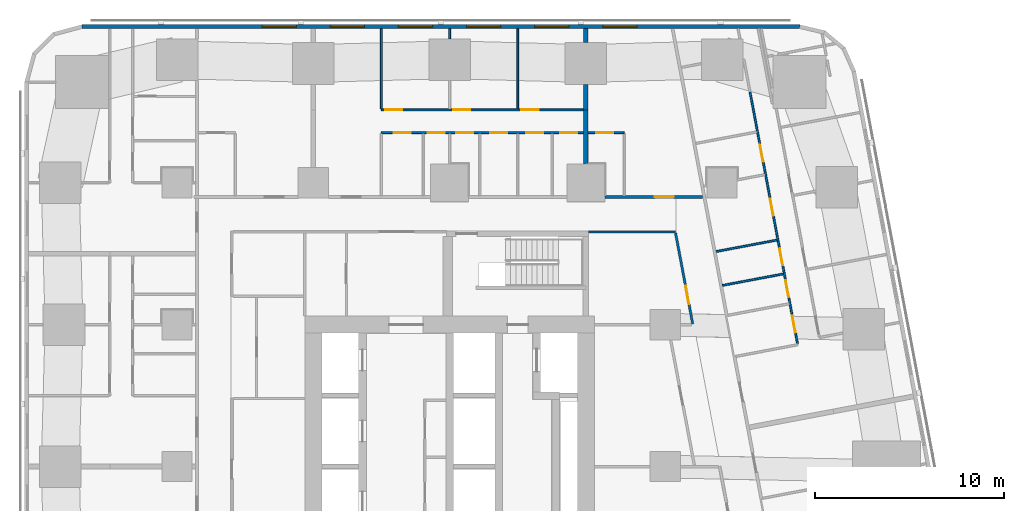
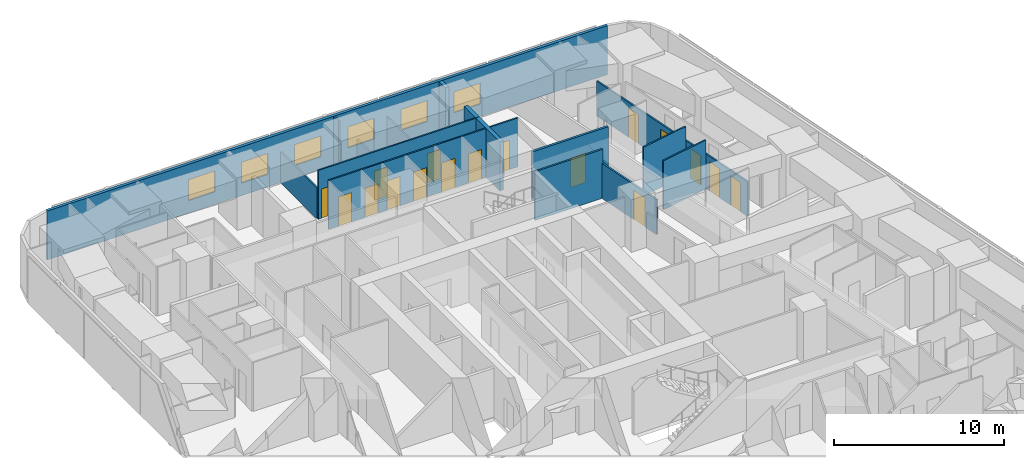
# One storey, part 9 of 15: 17 doors, 16 walls, 6 windows, 23 openings.
"""IFC4 building model written with IfcOpenShell, lengths in metres."""

import ifcopenshell
import ifcopenshell.guid

model = None  # the IFC model being written
_history = None  # IfcOwnerHistory: only IFC2X3 demands one
_inside = {}  # id of a spatial element -> (the spatial element, [elements in it])
_under = {}  # id of a project, library or spatial element -> (it, [spatial elements below it])
_declared = {}  # id of a project -> (the project, [libraries it declares])
_typed = {}  # id of a type object -> (the type object, [elements of that type])
_made_of = {}  # id of a material, layer set ... -> (it, [elements and type objects made of it])


def new_model(schema):
    """Start an empty IFC model of exactly this schema.

    Asked for "IFC4X3", IfcOpenShell would pick the latest addendum, in which some entities
    have other attributes; the version numbers below select the first issue.
    IFC2X3 requires an IfcOwnerHistory on every rooted entity: one is made here for all.
    """
    global model, _history
    if schema == "IFC4X3":
        model = ifcopenshell.file(schema_version=(4, 3, 0, 0))
    else:
        model = ifcopenshell.file(schema=schema)
    _inside.clear()
    _under.clear()
    _declared.clear()
    _typed.clear()
    _made_of.clear()
    _history = None
    if model.schema == "IFC2X3":
        org = make("IfcOrganization", Name="unknown")
        user = make(
            "IfcPersonAndOrganization",
            ThePerson=make("IfcPerson", FamilyName="unknown"),
            TheOrganization=org,
        )
        app = make(
            "IfcApplication",
            ApplicationDeveloper=org,
            Version="unknown",
            ApplicationFullName="unknown",
            ApplicationIdentifier="unknown",
        )
        _history = make(
            "IfcOwnerHistory",
            OwningUser=user,
            OwningApplication=app,
            ChangeAction="ADDED",
            CreationDate=0,
        )
    return model


def make(cls, **values):
    """One entity of the class cls with the attributes given. An attribute that is None is left unset."""
    return model.create_entity(
        cls, **{name: value for name, value in values.items() if value is not None}
    )


def rooted(cls, **values):
    """An entity with a GlobalId (a new one), such as an element, a storey or a relation."""
    return make(cls, GlobalId=ifcopenshell.guid.new(), OwnerHistory=_history, **values)


def si_unit(unit_type, name, prefix=None):
    """IfcSIUnit, for example si_unit("LENGTHUNIT", "METRE", prefix="MILLI")."""
    return make("IfcSIUnit", UnitType=unit_type, Prefix=prefix, Name=name)


def assignment(units):
    """IfcUnitAssignment: the units of a project."""
    return None if units is None else make("IfcUnitAssignment", Units=units)


def point(xyz):
    """IfcCartesianPoint."""
    return None if xyz is None else make("IfcCartesianPoint", Coordinates=xyz)


def direction(xyz):
    """IfcDirection."""
    return None if xyz is None else make("IfcDirection", DirectionRatios=xyz)


def frame(location, z_axis=None, x_axis=None):
    """IfcAxis2Placement3D, a coordinate frame: its origin and axes. An axis left out is left unset."""
    return make(
        "IfcAxis2Placement3D",
        Location=point(location),
        Axis=direction(z_axis),
        RefDirection=direction(x_axis),
    )


def frame_2d(location, x_axis=None):
    """IfcAxis2Placement2D, a coordinate frame in the plane: its origin and x axis."""
    return make(
        "IfcAxis2Placement2D", Location=point(location), RefDirection=direction(x_axis)
    )


def origin():
    """The frame at (0, 0, 0) with its axes left unset."""
    return frame((0.0, 0.0, 0.0))


def place(relative_to, where):
    """IfcLocalPlacement: puts the frame where relative to a parent placement (None: the world)."""
    return make(
        "IfcLocalPlacement", PlacementRelTo=relative_to, RelativePlacement=where
    )


def context(
    kind, dimensions, precision=None, world=None, true_north=None, identifier=None
):
    """IfcGeometricRepresentationContext, for example the 3D "Model" context."""
    return make(
        "IfcGeometricRepresentationContext",
        ContextIdentifier=identifier,
        ContextType=kind,
        CoordinateSpaceDimension=dimensions,
        Precision=precision,
        WorldCoordinateSystem=world,
        TrueNorth=true_north,
    )


def subcontext(parent, identifier, kind, view, scale=None):
    """IfcGeometricRepresentationSubContext, for example "Body" below "Model"."""
    return make(
        "IfcGeometricRepresentationSubContext",
        ContextIdentifier=identifier,
        ContextType=kind,
        ParentContext=parent,
        TargetScale=scale,
        TargetView=view,
    )


def project(units=None, contexts=None):
    """IfcProject with its units and contexts."""
    return rooted(
        "IfcProject",
        Name="project",
        RepresentationContexts=contexts,
        UnitsInContext=assignment(units),
    )


def spatial(cls, under=None, at=None, **own):
    """A site, building, storey or space (cls), placed at a placement, below another one or the project."""
    s = rooted(cls, ObjectPlacement=at, **own)
    if under is not None:
        _under.setdefault(under.id(), (under, []))[1].append(s)
    return s


def profile(cls, at=None, kind="AREA", **sizes):
    """A parametric profile (cls). Its sizes go by their IFC names, for example OverallWidth=200.0."""
    return make(cls, ProfileType=kind, Position=at, **sizes)


def rectangle(**sizes):
    """IfcRectangleProfileDef."""
    return profile("IfcRectangleProfileDef", **sizes)


def extrude(swept, where, along, depth):
    """IfcExtrudedAreaSolid: the profile swept, set in the frame where, extruded along a direction by depth."""
    return make(
        "IfcExtrudedAreaSolid",
        SweptArea=swept,
        Position=where,
        ExtrudedDirection=direction(along),
        Depth=depth,
    )


def shape(context_of_items, identifier, shape_type, items):
    """IfcShapeRepresentation: the items that make up one representation, for example the "Body"."""
    return make(
        "IfcShapeRepresentation",
        ContextOfItems=context_of_items,
        RepresentationIdentifier=identifier,
        RepresentationType=shape_type,
        Items=items,
    )


def material(Name=None, Category=None):
    """IfcMaterial."""
    return make("IfcMaterial", Name=Name, Category=Category)


def layer(
    of_material, thickness, ventilated=None, Name=None, Category=None, Priority=None
):
    """IfcMaterialLayer: one layer of a wall or slab, of a material (None: an air gap)."""
    return make(
        "IfcMaterialLayer",
        Material=of_material,
        LayerThickness=thickness,
        IsVentilated=ventilated,
        Name=Name,
        Category=Category,
        Priority=Priority,
    )


def layer_set(layers, Name=None):
    """IfcMaterialLayerSet."""
    return make("IfcMaterialLayerSet", MaterialLayers=layers, LayerSetName=Name)


def made_of(thing, what):
    """Note that an element or type object is made of a material, layer set ...; save() writes the relation."""
    if what is not None:
        _made_of.setdefault(what.id(), (what, []))[1].append(thing)
    return thing


def type_object(cls, material=None, **own):
    """A type object (cls), such as IfcWallType, which elements share."""
    return made_of(rooted(cls, **own), material)


def element(
    cls,
    number,
    at=None,
    inside=None,
    cuts=None,
    type_object=None,
    material=None,
    context=None,
    identifier="Body",
    shape_type=None,
    held_by="IfcProductDefinitionShape",
    body=None,
    shapes=None,
    **own,
):
    """One element of the class cls, such as IfcWall. Its Tag is "e" and its number.

    at: its placement. inside: the storey or other place that contains it. cuts: it is an
    opening in that element (IfcRelVoidsElement). A single representation is given by context,
    identifier, shape_type and body (its items); several are given by shapes. held_by: the class
    of the entity that holds the representations. save() writes the other relations.
    """
    e = rooted(cls, Tag="e%d" % number, ObjectPlacement=at, **own)
    if body is not None:
        shapes = [shape(context, identifier, shape_type, body)]
    if shapes is not None:
        e.Representation = make(held_by, Representations=shapes)
    if inside is not None:
        _inside.setdefault(inside.id(), (inside, []))[1].append(e)
    if cuts is not None:
        rooted(
            "IfcRelVoidsElement", RelatingBuildingElement=cuts, RelatedOpeningElement=e
        )
    if type_object is not None:
        _typed.setdefault(type_object.id(), (type_object, []))[1].append(e)
    return made_of(e, material)


def fill(opening, filler):
    """IfcRelFillsElement: the door or window that sits in an opening."""
    return rooted(
        "IfcRelFillsElement",
        RelatingOpeningElement=opening,
        RelatedBuildingElement=filler,
    )


def aggregate(whole, parts):
    """IfcRelAggregates: a whole, such as a stair, and the parts it consists of."""
    return rooted("IfcRelAggregates", RelatingObject=whole, RelatedObjects=parts)


def save(model, path):
    """Write the relations noted so far, then the file.

    IfcRelAggregates (storeys below a building ...), IfcRelContainedInSpatialStructure (elements
    in a storey), IfcRelDefinesByType, IfcRelAssociatesMaterial and IfcRelDeclares: one each for
    every whole, place, type object, material and project.
    """
    for whole, parts in _under.values():
        aggregate(whole, parts)
    for where, things in _inside.values():
        rooted(
            "IfcRelContainedInSpatialStructure",
            RelatedElements=things,
            RelatingStructure=where,
        )
    for kind, things in _typed.values():
        rooted("IfcRelDefinesByType", RelatedObjects=things, RelatingType=kind)
    for what, things in _made_of.values():
        rooted("IfcRelAssociatesMaterial", RelatedObjects=things, RelatingMaterial=what)
    for by, libraries in _declared.values():
        rooted("IfcRelDeclares", RelatingContext=by, RelatedDefinitions=libraries)
    model.write(path)


model = new_model("IFC4")

# Units and contexts
model_context = context("Model", 3, precision=1e-05, world=origin(), true_north=direction((0.0, 1.0)))
body_context = subcontext(model_context, "Body", "Model", "MODEL_VIEW")
ifc_project = project(units=[si_unit("LENGTHUNIT", "METRE"), si_unit("AREAUNIT", "SQUARE_METRE"), si_unit("VOLUMEUNIT", "CUBIC_METRE"), si_unit("PLANEANGLEUNIT", "RADIAN"), si_unit("MASSUNIT", "GRAM", prefix="KILO")], contexts=[model_context])

# Site, building, storey
site_placement = place(None, origin())
site = spatial("IfcSite", under=ifc_project, at=site_placement, CompositionType="ELEMENT")
building_placement = place(site_placement, origin())
building = spatial("IfcBuilding", under=site, at=building_placement, Name="Sheger Commons Tower", CompositionType="ELEMENT")
storey_placement = place(building_placement, frame((0.0, 0.0, 77.89990234375)))
storey = spatial("IfcBuildingStorey", under=building, at=storey_placement, Name="L19", CompositionType="ELEMENT", Elevation=77.89990234375)

# Wall, opening, door
ifc_material_1 = material(Name="Hollow concrete block masonry, skimmed both sides", Category="masonry")
ifc_layer_1 = layer(ifc_material_1, 0.14990234375)
ifc_layer_set_1 = layer_set([ifc_layer_1], Name="CORRIDOR WALL 150")
wall_type_1 = type_object("IfcWallType", Name="CORRIDOR WALL 150", PredefinedType="SOLIDWALL", material=ifc_layer_set_1)
wall_1_placement = place(storey_placement, frame((29.801025390625, 36.75, 0.0), z_axis=(0.0, 0.0, 1.0), x_axis=(1.0, 0.0, 0.0)))
wall_1 = element("IfcWall", 1, at=wall_1_placement, inside=storey, type_object=wall_type_1, Name="Corridor wall L19", PredefinedType="SOLIDWALL", context=body_context, shape_type="SweptSolid", body=[
    extrude(rectangle(XDim=5.171875, YDim=0.14990234375, at=frame_2d((2.5859375, 0.0))), origin(), (0.0, 0.0, 1.0), 3.5),
])
opening_1_placement = place(wall_1_placement, frame((2.64501953125, 0.0, 0.0)))
opening_1 = element("IfcOpeningElement", 2, at=opening_1_placement, cuts=wall_1, Name="Opening D1", PredefinedType="OPENING", context=body_context, shape_type="SweptSolid", body=[
    extrude(rectangle(XDim=1.0, YDim=2.10009765625, at=frame_2d((0.5, 1.050048828125))), frame((0.0, 0.0849609375, 0.0), z_axis=(0.0, -1.0, 0.0), x_axis=(1.0, 0.0, 0.0)), (0.0, 0.0, 1.0), 0.169921875),
])
ifc_material_2 = material(Name="Steel door set, fire rated", Category="steel")
door_type_1 = type_object("IfcDoorType", Name="FLAT ENTRANCE DOOR 1000x2100", OperationType="NOTDEFINED", PredefinedType="DOOR", material=ifc_material_2)
door_1_placement = place(opening_1_placement, origin())
door_1 = element("IfcDoor", 3, at=door_1_placement, inside=storey, type_object=door_type_1, Name="Flat entrance door", OperationType="SINGLE_SWING_RIGHT", OverallHeight=2.10009765625, OverallWidth=1.0, PredefinedType="DOOR", context=body_context, shape_type="SweptSolid", body=[
    extrude(rectangle(XDim=1.0, YDim=2.10009765625, at=frame_2d((0.5, 1.050048828125))), frame((0.0, 0.02490234375, 0.0), z_axis=(0.0, -1.0, 0.0), x_axis=(1.0, 0.0, 0.0)), (0.0, 0.0, 1.0), 0.050048828125),
])
fill(opening_1, door_1)

# Walls
ifc_material_3 = material(Name="Dense concrete block masonry, plastered both sides (separating wall between flats)", Category="masonry")
ifc_layer_2 = layer(ifc_material_3, 0.25)
ifc_layer_set_2 = layer_set([ifc_layer_2], Name="DEMISING WALL 250")
wall_type_2 = type_object("IfcWallType", Name="DEMISING WALL 250", PredefinedType="SOLIDWALL", material=ifc_layer_set_2)
wall_2_placement = place(storey_placement, frame((28.800048828125, 41.35009765625, 0.0), z_axis=(0.0, 0.0, 1.0), x_axis=(0.0, 1.0, 0.0)))
element("IfcWall", 4, at=wall_2_placement, inside=storey, type_object=wall_type_2, Name="Demising wall L19", PredefinedType="SOLIDWALL", context=body_context, shape_type="SweptSolid", body=[
    extrude(rectangle(XDim=1.348876953125, YDim=0.25, at=frame_2d((0.67431640625, 0.0))), origin(), (0.0, 0.0, 1.0), 3.5),
])
wall_3_placement = place(storey_placement, frame((28.800048828125, 44.90087890625, 0.0), z_axis=(0.0, 0.0, 1.0), x_axis=(0.0, 1.0, 0.0)))
element("IfcWall", 5, at=wall_3_placement, inside=storey, type_object=wall_type_2, Name="Demising wall L19", PredefinedType="SOLIDWALL", context=body_context, shape_type="SweptSolid", body=[
    extrude(rectangle(XDim=0.7490234375, YDim=0.25, at=frame_2d((0.37451171875, 0.0))), origin(), (0.0, 0.0, 1.0), 3.5),
])
wall_4_placement = place(storey_placement, frame((28.800048828125, 38.5009765625, 0.0), z_axis=(0.0, 0.0, 1.0), x_axis=(0.0, 1.0, 0.0)))
element("IfcWall", 6, at=wall_4_placement, inside=storey, type_object=wall_type_2, Name="Demising wall L19", PredefinedType="SOLIDWALL", context=body_context, shape_type="SweptSolid", body=[
    extrude(rectangle(XDim=2.84912109375, YDim=0.25, at=frame_2d((1.424560546875, 0.0))), origin(), (0.0, 0.0, 1.0), 3.5),
])

# Wall, openings, windows
ifc_material_4 = material(Name="Rendered concrete block masonry, dark grey", Category="masonry")
ifc_layer_3 = layer(ifc_material_4, 0.199951171875)
ifc_layer_set_3 = layer_set([ifc_layer_3], Name="FACADE WALL 200")
wall_type_3 = type_object("IfcWallType", Name="FACADE WALL 200", PredefinedType="SOLIDWALL", material=ifc_layer_set_3)
wall_5_placement = place(storey_placement, frame((40.10595703125, 45.75, 0.0), z_axis=(0.0, 0.0, 1.0), x_axis=(-1.0, 0.0, 0.0)))
wall_5 = element("IfcWall", 7, at=wall_5_placement, inside=storey, type_object=wall_type_3, Name="Facade wall L19", PredefinedType="SOLIDWALL", context=body_context, shape_type="SweptSolid", body=[
    extrude(rectangle(XDim=37.94287109375, YDim=0.199951171875, at=frame_2d((18.971435546875, 0.0))), origin(), (0.0, 0.0, 1.0), 3.5),
])
opening_2_placement = place(wall_5_placement, frame((8.60595703125, 0.0, 0.89990234375)))
opening_2 = element("IfcOpeningElement", 8, at=opening_2_placement, cuts=wall_5, Name="Opening W2", PredefinedType="OPENING", context=body_context, shape_type="SweptSolid", body=[
    extrude(rectangle(XDim=1.800048828125, YDim=1.5, at=frame_2d((0.89990234375, 0.75))), frame((0.0, 0.10986328125, 0.0), z_axis=(0.0, -1.0, 0.0), x_axis=(1.0, 0.0, 0.0)), (0.0, 0.0, 1.0), 0.219970703125),
])
opening_3_placement = place(wall_5_placement, frame((12.2060546875, 0.0, 0.89990234375)))
opening_3 = element("IfcOpeningElement", 9, at=opening_3_placement, cuts=wall_5, Name="Opening W2", PredefinedType="OPENING", context=body_context, shape_type="SweptSolid", body=[
    extrude(rectangle(XDim=1.800048828125, YDim=1.5, at=frame_2d((0.89990234375, 0.75))), frame((0.0, 0.10986328125, 0.0), z_axis=(0.0, -1.0, 0.0), x_axis=(1.0, 0.0, 0.0)), (0.0, 0.0, 1.0), 0.219970703125),
])
opening_4_placement = place(wall_5_placement, frame((15.805908203125, 0.0, 0.89990234375)))
opening_4 = element("IfcOpeningElement", 10, at=opening_4_placement, cuts=wall_5, Name="Opening W2", PredefinedType="OPENING", context=body_context, shape_type="SweptSolid", body=[
    extrude(rectangle(XDim=1.800048828125, YDim=1.5, at=frame_2d((0.89990234375, 0.75))), frame((0.0, 0.10986328125, 0.0), z_axis=(0.0, -1.0, 0.0), x_axis=(1.0, 0.0, 0.0)), (0.0, 0.0, 1.0), 0.219970703125),
])
opening_5_placement = place(wall_5_placement, frame((19.406005859375, 0.0, 0.89990234375)))
opening_5 = element("IfcOpeningElement", 11, at=opening_5_placement, cuts=wall_5, Name="Opening W2", PredefinedType="OPENING", context=body_context, shape_type="SweptSolid", body=[
    extrude(rectangle(XDim=1.800048828125, YDim=1.5, at=frame_2d((0.89990234375, 0.75))), frame((0.0, 0.10986328125, 0.0), z_axis=(0.0, -1.0, 0.0), x_axis=(1.0, 0.0, 0.0)), (0.0, 0.0, 1.0), 0.219970703125),
])
opening_6_placement = place(wall_5_placement, frame((23.006103515625, 0.0, 0.89990234375)))
opening_6 = element("IfcOpeningElement", 12, at=opening_6_placement, cuts=wall_5, Name="Opening W2", PredefinedType="OPENING", context=body_context, shape_type="SweptSolid", body=[
    extrude(rectangle(XDim=1.800048828125, YDim=1.5, at=frame_2d((0.89990234375, 0.75))), frame((0.0, 0.10986328125, 0.0), z_axis=(0.0, -1.0, 0.0), x_axis=(1.0, 0.0, 0.0)), (0.0, 0.0, 1.0), 0.219970703125),
])
opening_7_placement = place(wall_5_placement, frame((26.60595703125, 0.0, 0.89990234375)))
opening_7 = element("IfcOpeningElement", 13, at=opening_7_placement, cuts=wall_5, Name="Opening W2", PredefinedType="OPENING", context=body_context, shape_type="SweptSolid", body=[
    extrude(rectangle(XDim=1.800048828125, YDim=1.5, at=frame_2d((0.89990234375, 0.75))), frame((0.0, 0.10986328125, 0.0), z_axis=(0.0, -1.0, 0.0), x_axis=(1.0, 0.0, 0.0)), (0.0, 0.0, 1.0), 0.219970703125),
])
ifc_material_5 = material(Name="Black aluminium frame, dark tinted double glazing", Category="aluminium")
window_type = type_object("IfcWindowType", Name="WINDOW W2 1800x1500", PartitioningType="SINGLE_PANEL", PredefinedType="WINDOW", material=ifc_material_5)
window_1_placement = place(opening_2_placement, origin())
window_1 = element("IfcWindow", 14, at=window_1_placement, inside=storey, type_object=window_type, Name="Window W2 1800X1500", OverallHeight=1.5, OverallWidth=1.800048828125, PartitioningType="SINGLE_PANEL", PredefinedType="WINDOW", context=body_context, shape_type="SweptSolid", body=[
    extrude(rectangle(XDim=1.800048828125, YDim=1.5, at=frame_2d((0.89990234375, 0.75))), frame((0.0, 0.030029296875, 0.0), z_axis=(0.0, -1.0, 0.0), x_axis=(1.0, 0.0, 0.0)), (0.0, 0.0, 1.0), 0.06005859375),
])
fill(opening_2, window_1)
window_2_placement = place(opening_3_placement, origin())
window_2 = element("IfcWindow", 15, at=window_2_placement, inside=storey, type_object=window_type, Name="Window W2 1800X1500", OverallHeight=1.5, OverallWidth=1.800048828125, PartitioningType="SINGLE_PANEL", PredefinedType="WINDOW", context=body_context, shape_type="SweptSolid", body=[
    extrude(rectangle(XDim=1.800048828125, YDim=1.5, at=frame_2d((0.89990234375, 0.75))), frame((0.0, 0.030029296875, 0.0), z_axis=(0.0, -1.0, 0.0), x_axis=(1.0, 0.0, 0.0)), (0.0, 0.0, 1.0), 0.06005859375),
])
fill(opening_3, window_2)
window_3_placement = place(opening_4_placement, origin())
window_3 = element("IfcWindow", 16, at=window_3_placement, inside=storey, type_object=window_type, Name="Window W2 1800X1500", OverallHeight=1.5, OverallWidth=1.800048828125, PartitioningType="SINGLE_PANEL", PredefinedType="WINDOW", context=body_context, shape_type="SweptSolid", body=[
    extrude(rectangle(XDim=1.800048828125, YDim=1.5, at=frame_2d((0.89990234375, 0.75))), frame((0.0, 0.030029296875, 0.0), z_axis=(0.0, -1.0, 0.0), x_axis=(1.0, 0.0, 0.0)), (0.0, 0.0, 1.0), 0.06005859375),
])
fill(opening_4, window_3)
window_4_placement = place(opening_5_placement, origin())
window_4 = element("IfcWindow", 17, at=window_4_placement, inside=storey, type_object=window_type, Name="Window W2 1800X1500", OverallHeight=1.5, OverallWidth=1.800048828125, PartitioningType="SINGLE_PANEL", PredefinedType="WINDOW", context=body_context, shape_type="SweptSolid", body=[
    extrude(rectangle(XDim=1.800048828125, YDim=1.5, at=frame_2d((0.89990234375, 0.75))), frame((0.0, 0.030029296875, 0.0), z_axis=(0.0, -1.0, 0.0), x_axis=(1.0, 0.0, 0.0)), (0.0, 0.0, 1.0), 0.06005859375),
])
fill(opening_5, window_4)
window_5_placement = place(opening_6_placement, origin())
window_5 = element("IfcWindow", 18, at=window_5_placement, inside=storey, type_object=window_type, Name="Window W2 1800X1500", OverallHeight=1.5, OverallWidth=1.800048828125, PartitioningType="SINGLE_PANEL", PredefinedType="WINDOW", context=body_context, shape_type="SweptSolid", body=[
    extrude(rectangle(XDim=1.800048828125, YDim=1.5, at=frame_2d((0.89990234375, 0.75))), frame((0.0, 0.030029296875, 0.0), z_axis=(0.0, -1.0, 0.0), x_axis=(1.0, 0.0, 0.0)), (0.0, 0.0, 1.0), 0.06005859375),
])
fill(opening_6, window_5)
window_6_placement = place(opening_7_placement, origin())
window_6 = element("IfcWindow", 19, at=window_6_placement, inside=storey, type_object=window_type, Name="Window W2 1800X1500", OverallHeight=1.5, OverallWidth=1.800048828125, PartitioningType="SINGLE_PANEL", PredefinedType="WINDOW", context=body_context, shape_type="SweptSolid", body=[
    extrude(rectangle(XDim=1.800048828125, YDim=1.5, at=frame_2d((0.89990234375, 0.75))), frame((0.0, 0.030029296875, 0.0), z_axis=(0.0, -1.0, 0.0), x_axis=(1.0, 0.0, 0.0)), (0.0, 0.0, 1.0), 0.06005859375),
])
fill(opening_7, window_6)

# Wall, openings, doors
ifc_material_6 = material(Name="Gypsum board on steel studs", Category="steel")
ifc_layer_4 = layer(ifc_material_6, 0.10009765625)
ifc_layer_set_4 = layer_set([ifc_layer_4], Name="PARTITION 100")
wall_type_4 = type_object("IfcWallType", Name="PARTITION 100", PredefinedType="PARTITIONING", material=ifc_layer_set_4)
wall_6_placement = place(storey_placement, frame((37.472900390625, 42.30908203125, 0.0), z_axis=(0.0, 0.0, 1.0), x_axis=(0.185570636839, -0.982630927024, 0.0)))
wall_6 = element("IfcWall", 20, at=wall_6_placement, inside=storey, type_object=wall_type_4, Name="Partition L19", PredefinedType="PARTITIONING", context=body_context, shape_type="SweptSolid", body=[
    extrude(rectangle(XDim=13.553466796875, YDim=0.10009765625, at=frame_2d((6.77685546875, 0.0))), origin(), (0.0, 0.0, 1.0), 2.5),
])
opening_8_placement = place(wall_6_placement, frame((12.049072265625, 0.0, 0.0)))
opening_8 = element("IfcOpeningElement", 21, at=opening_8_placement, cuts=wall_6, Name="Opening D2", PredefinedType="OPENING", context=body_context, shape_type="SweptSolid", body=[
    extrude(rectangle(XDim=0.89990234375, YDim=2.10009765625, at=frame_2d((0.449951171875, 1.050048828125))), frame((0.0, 0.06005859375, 0.0), z_axis=(0.0, -1.0, 0.0), x_axis=(1.0, 0.0, 0.0)), (0.0, 0.0, 1.0), 0.1201171875),
])
opening_9_placement = place(wall_6_placement, frame((8.427001953125, 0.0, 0.0)))
opening_9 = element("IfcOpeningElement", 22, at=opening_9_placement, cuts=wall_6, Name="Opening D2", PredefinedType="OPENING", context=body_context, shape_type="SweptSolid", body=[
    extrude(rectangle(XDim=0.89990234375, YDim=2.10009765625, at=frame_2d((0.449951171875, 1.050048828125))), frame((0.0, 0.06005859375, 0.0), z_axis=(0.0, -1.0, 0.0), x_axis=(1.0, 0.0, 0.0)), (0.0, 0.0, 1.0), 0.1201171875),
])
opening_10_placement = place(wall_6_placement, frame((2.85302734375, 0.0, 0.0)))
opening_10 = element("IfcOpeningElement", 23, at=opening_10_placement, cuts=wall_6, Name="Opening D2", PredefinedType="OPENING", context=body_context, shape_type="SweptSolid", body=[
    extrude(rectangle(XDim=0.89990234375, YDim=2.10009765625, at=frame_2d((0.449951171875, 1.050048828125))), frame((0.0, 0.06005859375, 0.0), z_axis=(0.0, -1.0, 0.0), x_axis=(1.0, 0.0, 0.0)), (0.0, 0.0, 1.0), 0.1201171875),
])
opening_11_placement = place(wall_6_placement, frame((10.139892578125, 0.0, 0.0)))
opening_11 = element("IfcOpeningElement", 24, at=opening_11_placement, cuts=wall_6, Name="Opening D2", PredefinedType="OPENING", context=body_context, shape_type="SweptSolid", body=[
    extrude(rectangle(XDim=0.89990234375, YDim=2.10009765625, at=frame_2d((0.449951171875, 1.050048828125))), frame((0.0, 0.06005859375, 0.0), z_axis=(0.0, -1.0, 0.0), x_axis=(1.0, 0.0, 0.0)), (0.0, 0.0, 1.0), 0.1201171875),
])
opening_12_placement = place(wall_6_placement, frame((5.759033203125, 0.0, 0.0)))
opening_12 = element("IfcOpeningElement", 25, at=opening_12_placement, cuts=wall_6, Name="Opening D2", PredefinedType="OPENING", context=body_context, shape_type="SweptSolid", body=[
    extrude(rectangle(XDim=0.89990234375, YDim=2.10009765625, at=frame_2d((0.449951171875, 1.050048828125))), frame((0.0, 0.06005859375, 0.0), z_axis=(0.0, -1.0, 0.0), x_axis=(1.0, 0.0, 0.0)), (0.0, 0.0, 1.0), 0.1201171875),
])
ifc_material_7 = material(Name="Timber door set", Category="wood")
door_type_2 = type_object("IfcDoorType", Name="INTERNAL DOOR 900x2100", OperationType="NOTDEFINED", PredefinedType="DOOR", material=ifc_material_7)
door_2_placement = place(opening_8_placement, origin())
door_2 = element("IfcDoor", 26, at=door_2_placement, inside=storey, type_object=door_type_2, Name="Bathroom door", OperationType="SINGLE_SWING_LEFT", OverallHeight=2.10009765625, OverallWidth=0.89990234375, PredefinedType="DOOR", context=body_context, shape_type="SweptSolid", body=[
    extrude(rectangle(XDim=0.89990234375, YDim=2.10009765625, at=frame_2d((0.449951171875, 1.050048828125))), frame((0.0, 0.02490234375, 0.0), z_axis=(0.0, -1.0, 0.0), x_axis=(1.0, 0.0, 0.0)), (0.0, 0.0, 1.0), 0.050048828125),
])
fill(opening_8, door_2)
door_3_placement = place(opening_9_placement, origin())
door_3 = element("IfcDoor", 27, at=door_3_placement, inside=storey, type_object=door_type_2, Name="Laundry room door", OperationType="SINGLE_SWING_RIGHT", OverallHeight=2.10009765625, OverallWidth=0.89990234375, PredefinedType="DOOR", context=body_context, shape_type="SweptSolid", body=[
    extrude(rectangle(XDim=0.89990234375, YDim=2.10009765625, at=frame_2d((0.449951171875, 1.050048828125))), frame((0.0, 0.02490234375, 0.0), z_axis=(0.0, -1.0, 0.0), x_axis=(1.0, 0.0, 0.0)), (0.0, 0.0, 1.0), 0.050048828125),
])
fill(opening_9, door_3)
door_4_placement = place(opening_10_placement, origin())
door_4 = element("IfcDoor", 28, at=door_4_placement, inside=storey, type_object=door_type_2, Name="Laundry room door", OperationType="SINGLE_SWING_RIGHT", OverallHeight=2.10009765625, OverallWidth=0.89990234375, PredefinedType="DOOR", context=body_context, shape_type="SweptSolid", body=[
    extrude(rectangle(XDim=0.89990234375, YDim=2.10009765625, at=frame_2d((0.449951171875, 1.050048828125))), frame((0.0, 0.02490234375, 0.0), z_axis=(0.0, -1.0, 0.0), x_axis=(1.0, 0.0, 0.0)), (0.0, 0.0, 1.0), 0.050048828125),
])
fill(opening_10, door_4)
door_5_placement = place(opening_11_placement, origin())
door_5 = element("IfcDoor", 29, at=door_5_placement, inside=storey, type_object=door_type_2, Name="Store door", OperationType="SINGLE_SWING_LEFT", OverallHeight=2.10009765625, OverallWidth=0.89990234375, PredefinedType="DOOR", context=body_context, shape_type="SweptSolid", body=[
    extrude(rectangle(XDim=0.89990234375, YDim=2.10009765625, at=frame_2d((0.449951171875, 1.050048828125))), frame((0.0, 0.02490234375, 0.0), z_axis=(0.0, -1.0, 0.0), x_axis=(1.0, 0.0, 0.0)), (0.0, 0.0, 1.0), 0.050048828125),
])
fill(opening_11, door_5)
door_6_placement = place(opening_12_placement, origin())
door_6 = element("IfcDoor", 30, at=door_6_placement, inside=storey, type_object=door_type_2, Name="Store door", OperationType="SINGLE_SWING_LEFT", OverallHeight=2.10009765625, OverallWidth=0.89990234375, PredefinedType="DOOR", context=body_context, shape_type="SweptSolid", body=[
    extrude(rectangle(XDim=0.89990234375, YDim=2.10009765625, at=frame_2d((0.449951171875, 1.050048828125))), frame((0.0, 0.02490234375, 0.0), z_axis=(0.0, -1.0, 0.0), x_axis=(1.0, 0.0, 0.0)), (0.0, 0.0, 1.0), 0.050048828125),
])
fill(opening_12, door_6)

# Walls
wall_7_placement = place(storey_placement, frame((39.239990234375, 32.68310546875, 0.0), z_axis=(0.0, 0.0, 1.0), x_axis=(-0.982607026909, -0.185697147715, 0.0)))
element("IfcWall", 31, at=wall_7_placement, inside=storey, type_object=wall_type_4, Name="Partition L19", PredefinedType="PARTITIONING", context=body_context, shape_type="SweptSolid", body=[
    extrude(rectangle(XDim=3.27490234375, YDim=0.10009765625, at=frame_2d((1.637451171875, 0.0))), origin(), (0.0, 0.0, 1.0), 3.5),
])
wall_8_placement = place(storey_placement, frame((38.902099609375, 34.470947265625, 0.0), z_axis=(0.0, 0.0, 1.0), x_axis=(-0.982664729897, -0.18539155487, 0.0)))
element("IfcWall", 32, at=wall_8_placement, inside=storey, type_object=wall_type_4, Name="Partition L19", PredefinedType="PARTITIONING", context=body_context, shape_type="SweptSolid", body=[
    extrude(rectangle(XDim=3.273681640625, YDim=0.10009765625, at=frame_2d((1.63671875, 0.0))), origin(), (0.0, 0.0, 1.0), 3.5),
])

# Wall, openings, doors
wall_9_placement = place(storey_placement, frame((18.0, 41.35009765625, 0.0), z_axis=(0.0, 0.0, 1.0), x_axis=(1.0, 0.0, 0.0)))
wall_9 = element("IfcWall", 33, at=wall_9_placement, inside=storey, type_object=wall_type_4, Name="Partition L19", PredefinedType="PARTITIONING", context=body_context, shape_type="SweptSolid", body=[
    extrude(rectangle(XDim=10.675048828125, YDim=0.10009765625, at=frame_2d((5.33740234375, 0.0))), origin(), (0.0, 0.0, 1.0), 3.5),
])
opening_13_placement = place(wall_9_placement, frame((0.199951171875, 0.0, 0.0)))
opening_13 = element("IfcOpeningElement", 34, at=opening_13_placement, cuts=wall_9, Name="Opening D2", PredefinedType="OPENING", context=body_context, shape_type="SweptSolid", body=[
    extrude(rectangle(XDim=0.89990234375, YDim=2.10009765625, at=frame_2d((0.449951171875, 1.050048828125))), frame((0.0, 0.06005859375, 0.0), z_axis=(0.0, -1.0, 0.0), x_axis=(1.0, 0.0, 0.0)), (0.0, 0.0, 1.0), 0.1201171875),
])
opening_14_placement = place(wall_9_placement, frame((3.800048828125, 0.0, 0.0)))
opening_14 = element("IfcOpeningElement", 35, at=opening_14_placement, cuts=wall_9, Name="Opening D2", PredefinedType="OPENING", context=body_context, shape_type="SweptSolid", body=[
    extrude(rectangle(XDim=0.89990234375, YDim=2.10009765625, at=frame_2d((0.449951171875, 1.050048828125))), frame((0.0, 0.06005859375, 0.0), z_axis=(0.0, -1.0, 0.0), x_axis=(1.0, 0.0, 0.0)), (0.0, 0.0, 1.0), 0.1201171875),
])
opening_15_placement = place(wall_9_placement, frame((7.39990234375, 0.0, 0.0)))
opening_15 = element("IfcOpeningElement", 36, at=opening_15_placement, cuts=wall_9, Name="Opening D2", PredefinedType="OPENING", context=body_context, shape_type="SweptSolid", body=[
    extrude(rectangle(XDim=0.89990234375, YDim=2.10009765625, at=frame_2d((0.449951171875, 1.050048828125))), frame((0.0, 0.06005859375, 0.0), z_axis=(0.0, -1.0, 0.0), x_axis=(1.0, 0.0, 0.0)), (0.0, 0.0, 1.0), 0.1201171875),
])
door_7_placement = place(opening_13_placement, origin())
door_7 = element("IfcDoor", 37, at=door_7_placement, inside=storey, type_object=door_type_2, Name="Main bedroom door", OperationType="SINGLE_SWING_LEFT", OverallHeight=2.10009765625, OverallWidth=0.89990234375, PredefinedType="DOOR", context=body_context, shape_type="SweptSolid", body=[
    extrude(rectangle(XDim=0.89990234375, YDim=2.10009765625, at=frame_2d((0.449951171875, 1.050048828125))), frame((0.0, 0.02490234375, 0.0), z_axis=(0.0, -1.0, 0.0), x_axis=(1.0, 0.0, 0.0)), (0.0, 0.0, 1.0), 0.050048828125),
])
fill(opening_13, door_7)
door_8_placement = place(opening_14_placement, origin())
door_8 = element("IfcDoor", 38, at=door_8_placement, inside=storey, type_object=door_type_2, Name="Bedroom 2 door", OperationType="SINGLE_SWING_LEFT", OverallHeight=2.10009765625, OverallWidth=0.89990234375, PredefinedType="DOOR", context=body_context, shape_type="SweptSolid", body=[
    extrude(rectangle(XDim=0.89990234375, YDim=2.10009765625, at=frame_2d((0.449951171875, 1.050048828125))), frame((0.0, 0.02490234375, 0.0), z_axis=(0.0, -1.0, 0.0), x_axis=(1.0, 0.0, 0.0)), (0.0, 0.0, 1.0), 0.050048828125),
])
fill(opening_14, door_8)
door_9_placement = place(opening_15_placement, origin())
door_9 = element("IfcDoor", 39, at=door_9_placement, inside=storey, type_object=door_type_2, Name="Bedroom 3 door", OperationType="SINGLE_SWING_LEFT", OverallHeight=2.10009765625, OverallWidth=0.89990234375, PredefinedType="DOOR", context=body_context, shape_type="SweptSolid", body=[
    extrude(rectangle(XDim=0.89990234375, YDim=2.10009765625, at=frame_2d((0.449951171875, 1.050048828125))), frame((0.0, 0.02490234375, 0.0), z_axis=(0.0, -1.0, 0.0), x_axis=(1.0, 0.0, 0.0)), (0.0, 0.0, 1.0), 0.050048828125),
])
fill(opening_15, door_9)

wall_10_placement = place(storey_placement, frame((18.0, 40.14990234375, 0.0), z_axis=(0.0, 0.0, 1.0), x_axis=(1.0, 0.0, 0.0)))
wall_10 = element("IfcWall", 40, at=wall_10_placement, inside=storey, type_object=wall_type_4, Name="Partition L19", PredefinedType="PARTITIONING", context=body_context, shape_type="SweptSolid", body=[
    extrude(rectangle(XDim=10.675048828125, YDim=0.10009765625, at=frame_2d((5.33740234375, 0.0))), origin(), (0.0, 0.0, 1.0), 3.5),
])
opening_16_placement = place(wall_10_placement, frame((0.655029296875, 0.0, 0.0)))
opening_16 = element("IfcOpeningElement", 41, at=opening_16_placement, cuts=wall_10, Name="Opening D2", PredefinedType="OPENING", context=body_context, shape_type="SweptSolid", body=[
    extrude(rectangle(XDim=0.89990234375, YDim=2.10009765625, at=frame_2d((0.449951171875, 1.050048828125))), frame((0.0, 0.06005859375, 0.0), z_axis=(0.0, -1.0, 0.0), x_axis=(1.0, 0.0, 0.0)), (0.0, 0.0, 1.0), 0.1201171875),
])
opening_17_placement = place(wall_10_placement, frame((3.949951171875, 0.0, 0.0)))
opening_17 = element("IfcOpeningElement", 42, at=opening_17_placement, cuts=wall_10, Name="Opening D2", PredefinedType="OPENING", context=body_context, shape_type="SweptSolid", body=[
    extrude(rectangle(XDim=0.89990234375, YDim=2.10009765625, at=frame_2d((0.449951171875, 1.050048828125))), frame((0.0, 0.06005859375, 0.0), z_axis=(0.0, -1.0, 0.0), x_axis=(1.0, 0.0, 0.0)), (0.0, 0.0, 1.0), 0.1201171875),
])
opening_18_placement = place(wall_10_placement, frame((7.659912109375, 0.0, 0.0)))
opening_18 = element("IfcOpeningElement", 43, at=opening_18_placement, cuts=wall_10, Name="Opening D2", PredefinedType="OPENING", context=body_context, shape_type="SweptSolid", body=[
    extrude(rectangle(XDim=0.89990234375, YDim=2.10009765625, at=frame_2d((0.449951171875, 1.050048828125))), frame((0.0, 0.06005859375, 0.0), z_axis=(0.0, -1.0, 0.0), x_axis=(1.0, 0.0, 0.0)), (0.0, 0.0, 1.0), 0.1201171875),
])
opening_19_placement = place(wall_10_placement, frame((2.455078125, 0.0, 0.0)))
opening_19 = element("IfcOpeningElement", 44, at=opening_19_placement, cuts=wall_10, Name="Opening D2", PredefinedType="OPENING", context=body_context, shape_type="SweptSolid", body=[
    extrude(rectangle(XDim=0.89990234375, YDim=2.10009765625, at=frame_2d((0.449951171875, 1.050048828125))), frame((0.0, 0.06005859375, 0.0), z_axis=(0.0, -1.0, 0.0), x_axis=(1.0, 0.0, 0.0)), (0.0, 0.0, 1.0), 0.1201171875),
])
opening_20_placement = place(wall_10_placement, frame((5.75, 0.0, 0.0)))
opening_20 = element("IfcOpeningElement", 45, at=opening_20_placement, cuts=wall_10, Name="Opening D2", PredefinedType="OPENING", context=body_context, shape_type="SweptSolid", body=[
    extrude(rectangle(XDim=0.89990234375, YDim=2.10009765625, at=frame_2d((0.449951171875, 1.050048828125))), frame((0.0, 0.06005859375, 0.0), z_axis=(0.0, -1.0, 0.0), x_axis=(1.0, 0.0, 0.0)), (0.0, 0.0, 1.0), 0.1201171875),
])
opening_21_placement = place(wall_10_placement, frame((9.4599609375, 0.0, 0.0)))
opening_21 = element("IfcOpeningElement", 46, at=opening_21_placement, cuts=wall_10, Name="Opening D2", PredefinedType="OPENING", context=body_context, shape_type="SweptSolid", body=[
    extrude(rectangle(XDim=0.89990234375, YDim=2.10009765625, at=frame_2d((0.449951171875, 1.050048828125))), frame((0.0, 0.06005859375, 0.0), z_axis=(0.0, -1.0, 0.0), x_axis=(1.0, 0.0, 0.0)), (0.0, 0.0, 1.0), 0.1201171875),
])
door_10_placement = place(opening_16_placement, origin())
door_10 = element("IfcDoor", 47, at=door_10_placement, inside=storey, type_object=door_type_2, Name="Bathroom door", OperationType="SINGLE_SWING_RIGHT", OverallHeight=2.10009765625, OverallWidth=0.89990234375, PredefinedType="DOOR", context=body_context, shape_type="SweptSolid", body=[
    extrude(rectangle(XDim=0.89990234375, YDim=2.10009765625, at=frame_2d((0.449951171875, 1.050048828125))), frame((0.0, 0.02490234375, 0.0), z_axis=(0.0, -1.0, 0.0), x_axis=(1.0, 0.0, 0.0)), (0.0, 0.0, 1.0), 0.050048828125),
])
fill(opening_16, door_10)
door_11_placement = place(opening_17_placement, origin())
door_11 = element("IfcDoor", 48, at=door_11_placement, inside=storey, type_object=door_type_2, Name="Shower room door", OperationType="SINGLE_SWING_RIGHT", OverallHeight=2.10009765625, OverallWidth=0.89990234375, PredefinedType="DOOR", context=body_context, shape_type="SweptSolid", body=[
    extrude(rectangle(XDim=0.89990234375, YDim=2.10009765625, at=frame_2d((0.449951171875, 1.050048828125))), frame((0.0, 0.02490234375, 0.0), z_axis=(0.0, -1.0, 0.0), x_axis=(1.0, 0.0, 0.0)), (0.0, 0.0, 1.0), 0.050048828125),
])
fill(opening_17, door_11)
door_12_placement = place(opening_18_placement, origin())
door_12 = element("IfcDoor", 49, at=door_12_placement, inside=storey, type_object=door_type_2, Name="Laundry room door", OperationType="SINGLE_SWING_RIGHT", OverallHeight=2.10009765625, OverallWidth=0.89990234375, PredefinedType="DOOR", context=body_context, shape_type="SweptSolid", body=[
    extrude(rectangle(XDim=0.89990234375, YDim=2.10009765625, at=frame_2d((0.449951171875, 1.050048828125))), frame((0.0, 0.02490234375, 0.0), z_axis=(0.0, -1.0, 0.0), x_axis=(1.0, 0.0, 0.0)), (0.0, 0.0, 1.0), 0.050048828125),
])
fill(opening_18, door_12)
door_13_placement = place(opening_19_placement, origin())
door_13 = element("IfcDoor", 50, at=door_13_placement, inside=storey, type_object=door_type_2, Name="Store door", OperationType="SINGLE_SWING_LEFT", OverallHeight=2.10009765625, OverallWidth=0.89990234375, PredefinedType="DOOR", context=body_context, shape_type="SweptSolid", body=[
    extrude(rectangle(XDim=0.89990234375, YDim=2.10009765625, at=frame_2d((0.449951171875, 1.050048828125))), frame((0.0, 0.02490234375, 0.0), z_axis=(0.0, -1.0, 0.0), x_axis=(1.0, 0.0, 0.0)), (0.0, 0.0, 1.0), 0.050048828125),
])
fill(opening_19, door_13)
door_14_placement = place(opening_20_placement, origin())
door_14 = element("IfcDoor", 51, at=door_14_placement, inside=storey, type_object=door_type_2, Name="Store door", OperationType="SINGLE_SWING_LEFT", OverallHeight=2.10009765625, OverallWidth=0.89990234375, PredefinedType="DOOR", context=body_context, shape_type="SweptSolid", body=[
    extrude(rectangle(XDim=0.89990234375, YDim=2.10009765625, at=frame_2d((0.449951171875, 1.050048828125))), frame((0.0, 0.02490234375, 0.0), z_axis=(0.0, -1.0, 0.0), x_axis=(1.0, 0.0, 0.0)), (0.0, 0.0, 1.0), 0.050048828125),
])
fill(opening_20, door_14)
door_15_placement = place(opening_21_placement, origin())
door_15 = element("IfcDoor", 52, at=door_15_placement, inside=storey, type_object=door_type_2, Name="Store door", OperationType="SINGLE_SWING_LEFT", OverallHeight=2.10009765625, OverallWidth=0.89990234375, PredefinedType="DOOR", context=body_context, shape_type="SweptSolid", body=[
    extrude(rectangle(XDim=0.89990234375, YDim=2.10009765625, at=frame_2d((0.449951171875, 1.050048828125))), frame((0.0, 0.02490234375, 0.0), z_axis=(0.0, -1.0, 0.0), x_axis=(1.0, 0.0, 0.0)), (0.0, 0.0, 1.0), 0.050048828125),
])
fill(opening_21, door_15)

# Walls
wall_11_placement = place(storey_placement, frame((18.0, 41.39990234375, 0.0), z_axis=(0.0, 0.0, 1.0), x_axis=(0.0, 1.0, 0.0)))
element("IfcWall", 53, at=wall_11_placement, inside=storey, type_object=wall_type_4, Name="Partition L19", PredefinedType="PARTITIONING", context=body_context, shape_type="SweptSolid", body=[
    extrude(rectangle(XDim=4.25, YDim=0.10009765625, at=frame_2d((2.125, 0.0))), origin(), (0.0, 0.0, 1.0), 2.2001953125),
])
wall_12_placement = place(storey_placement, frame((21.60009765625, 45.10107421875, 0.0), z_axis=(0.0, 0.0, 1.0), x_axis=(0.0, 1.0, 0.0)))
element("IfcWall", 54, at=wall_12_placement, inside=storey, type_object=wall_type_4, Name="Partition L19", PredefinedType="PARTITIONING", context=body_context, shape_type="SweptSolid", body=[
    extrude(rectangle(XDim=0.548828125, YDim=0.10009765625, at=frame_2d((0.2744140625, 0.0))), origin(), (0.0, 0.0, 1.0), 3.5),
])
wall_13_placement = place(storey_placement, frame((25.199951171875, 41.39990234375, 0.0), z_axis=(0.0, 0.0, 1.0), x_axis=(0.0, 1.0, 0.0)))
element("IfcWall", 55, at=wall_13_placement, inside=storey, type_object=wall_type_4, Name="Partition L19", PredefinedType="PARTITIONING", context=body_context, shape_type="SweptSolid", body=[
    extrude(rectangle(XDim=4.25, YDim=0.10009765625, at=frame_2d((2.125, 0.0))), origin(), (0.0, 0.0, 1.0), 2.2001953125),
])

# Wall, opening, door
wall_14_placement = place(storey_placement, frame((28.925048828125, 40.14990234375, 0.0), z_axis=(0.0, 0.0, 1.0), x_axis=(1.0, 0.0, 0.0)))
wall_14 = element("IfcWall", 56, at=wall_14_placement, inside=storey, type_object=wall_type_4, Name="Partition L19", PredefinedType="PARTITIONING", context=body_context, shape_type="SweptSolid", body=[
    extrude(rectangle(XDim=1.904052734375, YDim=0.10009765625, at=frame_2d((0.9521484375, 0.0))), origin(), (0.0, 0.0, 1.0), 3.5),
])
opening_22_placement = place(wall_14_placement, frame((0.425048828125, 0.0, 0.0)))
opening_22 = element("IfcOpeningElement", 57, at=opening_22_placement, cuts=wall_14, Name="Opening D2", PredefinedType="OPENING", context=body_context, shape_type="SweptSolid", body=[
    extrude(rectangle(XDim=0.89990234375, YDim=2.10009765625, at=frame_2d((0.449951171875, 1.050048828125))), frame((0.0, 0.06005859375, 0.0), z_axis=(0.0, -1.0, 0.0), x_axis=(1.0, 0.0, 0.0)), (0.0, 0.0, 1.0), 0.1201171875),
])
door_16_placement = place(opening_22_placement, origin())
door_16 = element("IfcDoor", 58, at=door_16_placement, inside=storey, type_object=door_type_2, Name="Shower room door", OperationType="SINGLE_SWING_RIGHT", OverallHeight=2.10009765625, OverallWidth=0.89990234375, PredefinedType="DOOR", context=body_context, shape_type="SweptSolid", body=[
    extrude(rectangle(XDim=0.89990234375, YDim=2.10009765625, at=frame_2d((0.449951171875, 1.050048828125))), frame((0.0, 0.02490234375, 0.0), z_axis=(0.0, -1.0, 0.0), x_axis=(1.0, 0.0, 0.0)), (0.0, 0.0, 1.0), 0.050048828125),
])
fill(opening_22, door_16)

# Wall
ifc_material_8 = material(Name="Gypsum board on steel studs, two layers each side, fire rated", Category="steel")
ifc_layer_5 = layer(ifc_material_8, 0.125)
ifc_layer_set_5 = layer_set([ifc_layer_5], Name="SERVICE WALL 125")
wall_type_5 = type_object("IfcWallType", Name="SERVICE WALL 125", PredefinedType="PARTITIONING", material=ifc_layer_set_5)
wall_15_placement = place(storey_placement, frame((28.949951171875, 34.89990234375, 0.0), z_axis=(0.0, 0.0, 1.0), x_axis=(1.0, 0.0, 0.0)))
element("IfcWall", 59, at=wall_15_placement, inside=storey, type_object=wall_type_5, Name="Service room wall L19", PredefinedType="PARTITIONING", context=body_context, shape_type="SweptSolid", body=[
    extrude(rectangle(XDim=4.588134765625, YDim=0.125, at=frame_2d((2.2939453125, 0.0))), origin(), (0.0, 0.0, 1.0), 3.5),
])

# Wall, opening, door
wall_16_placement = place(storey_placement, frame((34.447998046875, 30.0400390625, 0.0), z_axis=(0.0, 0.0, 1.0), x_axis=(-0.185749459238, 0.982597139418, 0.0)))
wall_16 = element("IfcWall", 60, at=wall_16_placement, inside=storey, type_object=wall_type_5, Name="Service room wall L19", PredefinedType="PARTITIONING", context=body_context, shape_type="SweptSolid", body=[
    extrude(rectangle(XDim=4.8828125, YDim=0.125, at=frame_2d((2.44140625, 0.0))), origin(), (0.0, 0.0, 1.0), 2.5),
])
opening_23_placement = place(wall_16_placement, frame((1.050048828125, 0.0, 0.0)))
opening_23 = element("IfcOpeningElement", 61, at=opening_23_placement, cuts=wall_16, Name="Opening D4", PredefinedType="OPENING", context=body_context, shape_type="SweptSolid", body=[
    extrude(rectangle(XDim=1.0, YDim=2.10009765625, at=frame_2d((0.5, 1.050048828125))), frame((0.0, 0.072509765625, 0.0), z_axis=(0.0, -1.0, 0.0), x_axis=(1.0, 0.0, 0.0)), (0.0, 0.0, 1.0), 0.14501953125),
])
ifc_material_9 = material(Name="Steel door set, fire rated", Category="steel")
door_type_3 = type_object("IfcDoorType", Name="SERVICE DOOR 1000x2100", OperationType="NOTDEFINED", PredefinedType="DOOR", material=ifc_material_9)
door_17_placement = place(opening_23_placement, origin())
door_17 = element("IfcDoor", 62, at=door_17_placement, inside=storey, type_object=door_type_3, Name="Linen store door", OperationType="SINGLE_SWING_LEFT", OverallHeight=2.10009765625, OverallWidth=1.0, PredefinedType="DOOR", context=body_context, shape_type="SweptSolid", body=[
    extrude(rectangle(XDim=1.0, YDim=2.10009765625, at=frame_2d((0.5, 1.050048828125))), frame((0.0, 0.02490234375, 0.0), z_axis=(0.0, -1.0, 0.0), x_axis=(1.0, 0.0, 0.0)), (0.0, 0.0, 1.0), 0.050048828125),
])
fill(opening_23, door_17)

save(model, "model.ifc")
